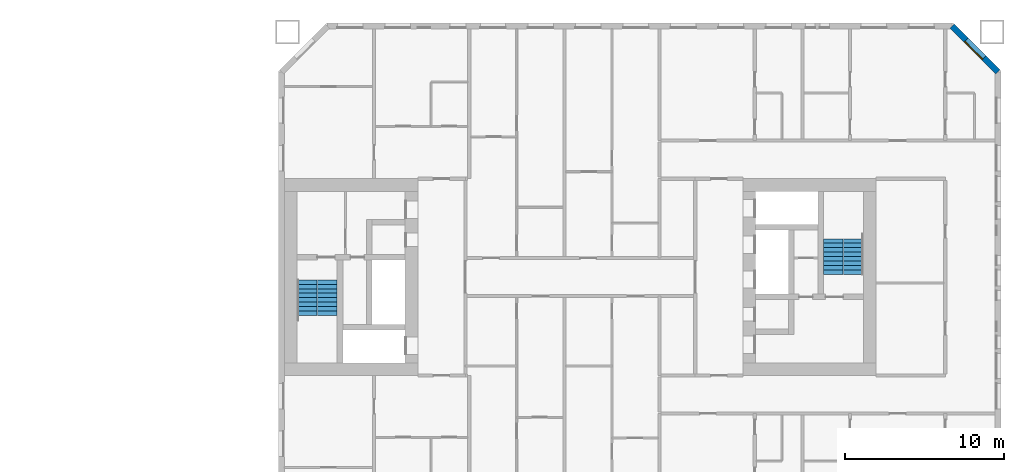
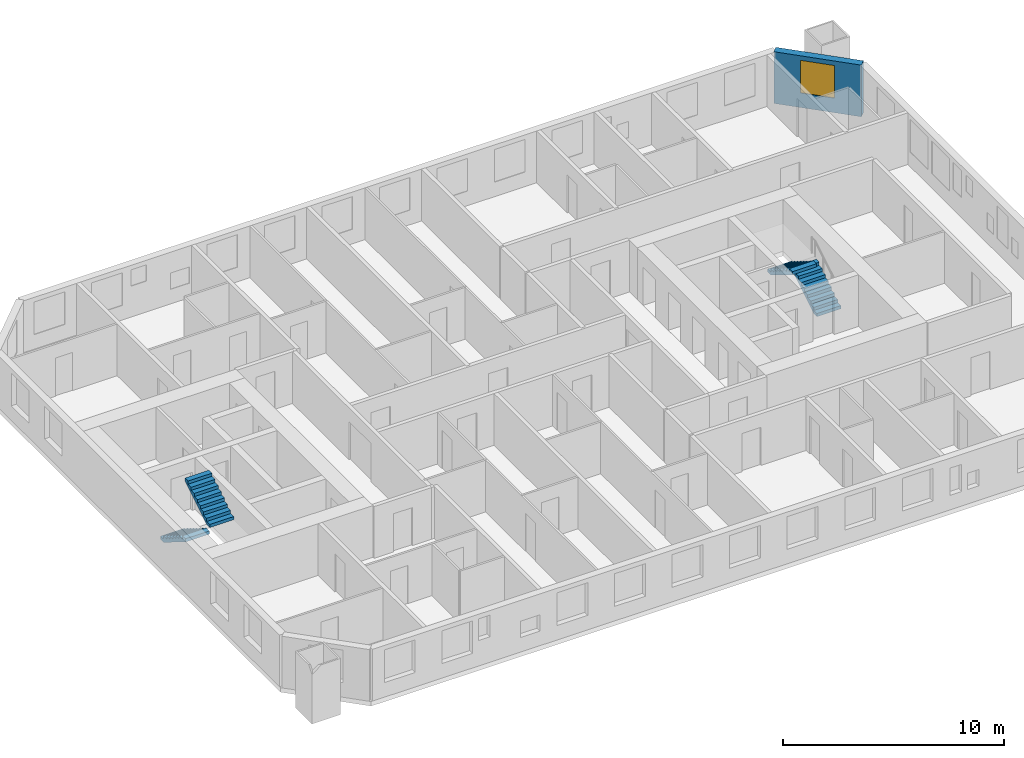
# One storey, part 15 of 17: 4 stair flights, 1 wall, 1 window, 1 opening, 2 elements without a shape of their own.
"""IFC4 building model written with IfcOpenShell, lengths in metres."""

from ifc_helpers import new_model, si_unit, direction, frame, frame_2d, origin, place, context, subcontext, project, spatial, polyline, rectangle, outline, extrude, material, layer, layer_set, type_object, element, fill, aggregate, save


model = new_model("IFC4")

# Units and contexts
model_context = context("Model", 3, precision=1e-05, world=origin(), true_north=direction((0.0, 1.0)))
body_context = subcontext(model_context, "Body", "Model", "MODEL_VIEW")
ifc_project = project(units=[si_unit("LENGTHUNIT", "METRE"), si_unit("AREAUNIT", "SQUARE_METRE"), si_unit("VOLUMEUNIT", "CUBIC_METRE"), si_unit("PLANEANGLEUNIT", "RADIAN"), si_unit("MASSUNIT", "GRAM", prefix="KILO")], contexts=[model_context])

# Site, building, storey
site_placement = place(None, origin())
site = spatial("IfcSite", under=ifc_project, at=site_placement, CompositionType="ELEMENT")
building_placement = place(site_placement, origin())
building = spatial("IfcBuilding", under=site, at=building_placement, Name="Tuart Gate Housing", CompositionType="ELEMENT")
storey_placement = place(building_placement, frame((0.0, 0.0, 50.5)))
storey = spatial("IfcBuildingStorey", under=building, at=storey_placement, Name="L13", CompositionType="ELEMENT", Elevation=50.5)

# Wall, opening, window
ifc_material_1 = material(Name="Brick", Category="masonry")
ifc_layer = layer(ifc_material_1, 0.360107421875)
ifc_layer_set = layer_set([ifc_layer], Name="Brick pier and spandrel wall 360")
wall_type = type_object("IfcWallType", Name="Brick pier and spandrel wall 360", PredefinedType="STANDARD", material=ifc_layer_set)
wall_placement = place(storey_placement, frame((176.320068359375, 82.92529296875, 0.0), z_axis=(0.0, 0.0, 1.0), x_axis=(-0.707106781187, 0.707106781187, 0.0)))
wall = element("IfcWall", 1, at=wall_placement, inside=storey, type_object=wall_type, Name="External wall B-NE L13", PredefinedType="STANDARD", context=body_context, shape_type="SweptSolid", body=[
    extrude(rectangle(XDim=4.09375, YDim=0.360107421875, at=frame_2d((2.046875, 0.0))), origin(), (0.0, 0.0, 1.0), 2.85009765625),
])
opening_placement = place(wall_placement, frame((1.2470703125, 0.0, 0.800048828125)))
opening = element("IfcOpeningElement", 2, at=opening_placement, cuts=wall, Name="Opening W1", PredefinedType="OPENING", context=body_context, shape_type="SweptSolid", body=[
    extrude(rectangle(XDim=1.60009765625, YDim=1.800048828125, at=frame_2d((0.800048828125, 0.89990234375))), frame((0.0, 0.18994140625, 0.0), z_axis=(0.0, -1.0, 0.0), x_axis=(1.0, 0.0, 0.0)), (0.0, 0.0, 1.0), 0.380126953125),
])
ifc_material_2 = material(Name="Aluminium frame with clear glass", Category="aluminium")
window_type = type_object("IfcWindowType", Name="Punched window 1600 x 1800", PartitioningType="SINGLE_PANEL", PredefinedType="WINDOW", material=ifc_material_2)
window_placement = place(opening_placement, origin())
window = element("IfcWindow", 3, at=window_placement, inside=storey, type_object=window_type, Name="Window W1", OverallHeight=1.800048828125, OverallWidth=1.60009765625, PartitioningType="SINGLE_PANEL", PredefinedType="WINDOW", context=body_context, shape_type="SweptSolid", body=[
    extrude(rectangle(XDim=1.60009765625, YDim=1.800048828125, at=frame_2d((0.800048828125, 0.89990234375))), frame((0.0, 0.150146484375, 0.0), z_axis=(0.0, -1.0, 0.0), x_axis=(1.0, 0.0, 0.0)), (0.0, 0.0, 1.0), 0.06005859375),
])
fill(opening, window)

# Stair, stair flights
ifc_material_3 = material(Name="Concrete C40", Category="concrete")
stair_type = type_object("IfcStairType", Name="Core stair 1250", PredefinedType="HALF_TURN_STAIR", material=ifc_material_3)
stair_1_placement = place(storey_placement, origin())
stair_1 = element("IfcStair", 4, at=stair_1_placement, inside=storey, type_object=stair_type, Name="Stair SB1", PredefinedType="HALF_TURN_STAIR")
ifc_material_4 = material(Name="Concrete C40", Category="concrete")
stair_flight_type = type_object("IfcStairFlightType", Name="Stair flight 1250, 9 risers 172 x 280", PredefinedType="STRAIGHT", material=ifc_material_4)
stair_flight_1_placement = place(storey_placement, frame((132.784912109375, 69.824951171875, 0.0), z_axis=(0.0, 0.0, 1.0), x_axis=(0.0, -1.0, 0.0)))
stair_flight_1 = element("IfcStairFlight", 5, at=stair_flight_1_placement, type_object=stair_flight_type, Name="SB1 flight 1", NumberOfRisers=9, NumberOfTreads=8, PredefinedType="STRAIGHT", RiserHeight=0.172222222, TreadLength=0.28, context=body_context, shape_type="SweptSolid", body=[
    extrude(outline(polyline([(0.0, 0.0), (0.0, 0.172119140625), (0.280029296875, 0.172119140625), (0.280029296875, 0.344482421875), (0.56005859375, 0.344482421875), (0.56005859375, 0.5166015625), (0.840087890625, 0.5166015625), (0.840087890625, 0.68896484375), (1.1201171875, 0.68896484375), (1.1201171875, 0.861083984375), (1.39990234375, 0.861083984375), (1.39990234375, 1.033447265625), (1.679931640625, 1.033447265625), (1.679931640625, 1.20556640625), (1.9599609375, 1.20556640625), (1.9599609375, 1.377685546875), (2.239990234375, 1.377685546875), (2.239990234375, 1.550048828125), (2.239990234375, 1.201904296875), (0.2861328125, 0.0), (0.0, 0.0)])), frame((0.0, 0.625, 0.0), z_axis=(0.0, -1.0, 0.0), x_axis=(1.0, 0.0, 0.0)), (0.0, 0.0, 1.0), 1.25),
])
stair_flight_2_placement = place(storey_placement, frame((134.06005859375, 67.5849609375, 1.550048828125), z_axis=(0.0, 0.0, 1.0), x_axis=(0.0, 1.0, 0.0)))
stair_flight_2 = element("IfcStairFlight", 6, at=stair_flight_2_placement, type_object=stair_flight_type, Name="SB1 flight 2", NumberOfRisers=9, NumberOfTreads=8, PredefinedType="STRAIGHT", RiserHeight=0.172222222, TreadLength=0.28, context=body_context, shape_type="SweptSolid", body=[
    extrude(outline(polyline([(0.0, 0.0), (0.0, 0.172119140625), (0.280029296875, 0.172119140625), (0.280029296875, 0.344482421875), (0.56005859375, 0.344482421875), (0.56005859375, 0.5166015625), (0.840087890625, 0.5166015625), (0.840087890625, 0.68896484375), (1.1201171875, 0.68896484375), (1.1201171875, 0.861083984375), (1.39990234375, 0.861083984375), (1.39990234375, 1.033447265625), (1.679931640625, 1.033447265625), (1.679931640625, 1.20556640625), (1.9599609375, 1.20556640625), (1.9599609375, 1.377685546875), (2.239990234375, 1.377685546875), (2.239990234375, 1.550048828125), (2.239990234375, 1.201904296875), (0.2861328125, 0.0), (0.0, 0.0)])), frame((0.0, 0.625, 0.0), z_axis=(0.0, -1.0, 0.0), x_axis=(1.0, 0.0, 0.0)), (0.0, 0.0, 1.0), 1.25),
])
aggregate(stair_1, [stair_flight_1, stair_flight_2])

stair_2_placement = place(storey_placement, origin())
stair_2 = element("IfcStair", 7, at=stair_2_placement, inside=storey, type_object=stair_type, Name="Stair SB2", PredefinedType="HALF_TURN_STAIR")
stair_flight_3_placement = place(storey_placement, frame((167.215087890625, 70.175048828125, 0.0), z_axis=(0.0, 0.0, 1.0), x_axis=(0.0, 1.0, 0.0)))
stair_flight_3 = element("IfcStairFlight", 8, at=stair_flight_3_placement, type_object=stair_flight_type, Name="SB2 flight 1", NumberOfRisers=9, NumberOfTreads=8, PredefinedType="STRAIGHT", RiserHeight=0.172222222, TreadLength=0.28, context=body_context, shape_type="SweptSolid", body=[
    extrude(outline(polyline([(0.0, 0.0), (0.0, 0.172119140625), (0.280029296875, 0.172119140625), (0.280029296875, 0.344482421875), (0.56005859375, 0.344482421875), (0.56005859375, 0.5166015625), (0.840087890625, 0.5166015625), (0.840087890625, 0.68896484375), (1.1201171875, 0.68896484375), (1.1201171875, 0.861083984375), (1.39990234375, 0.861083984375), (1.39990234375, 1.033447265625), (1.679931640625, 1.033447265625), (1.679931640625, 1.20556640625), (1.9599609375, 1.20556640625), (1.9599609375, 1.377685546875), (2.239990234375, 1.377685546875), (2.239990234375, 1.550048828125), (2.239990234375, 1.201904296875), (0.2861328125, 0.0), (0.0, 0.0)])), frame((0.0, 0.625, 0.0), z_axis=(0.0, -1.0, 0.0), x_axis=(1.0, 0.0, 0.0)), (0.0, 0.0, 1.0), 1.25),
])
stair_flight_4_placement = place(storey_placement, frame((165.93994140625, 72.4150390625, 1.550048828125), z_axis=(0.0, 0.0, 1.0), x_axis=(0.0, -1.0, 0.0)))
stair_flight_4 = element("IfcStairFlight", 9, at=stair_flight_4_placement, type_object=stair_flight_type, Name="SB2 flight 2", NumberOfRisers=9, NumberOfTreads=8, PredefinedType="STRAIGHT", RiserHeight=0.172222222, TreadLength=0.28, context=body_context, shape_type="SweptSolid", body=[
    extrude(outline(polyline([(0.0, 0.0), (0.0, 0.172119140625), (0.280029296875, 0.172119140625), (0.280029296875, 0.344482421875), (0.56005859375, 0.344482421875), (0.56005859375, 0.5166015625), (0.840087890625, 0.5166015625), (0.840087890625, 0.68896484375), (1.1201171875, 0.68896484375), (1.1201171875, 0.861083984375), (1.39990234375, 0.861083984375), (1.39990234375, 1.033447265625), (1.679931640625, 1.033447265625), (1.679931640625, 1.20556640625), (1.9599609375, 1.20556640625), (1.9599609375, 1.377685546875), (2.239990234375, 1.377685546875), (2.239990234375, 1.550048828125), (2.239990234375, 1.201904296875), (0.2861328125, 0.0), (0.0, 0.0)])), frame((0.0, 0.625, 0.0), z_axis=(0.0, -1.0, 0.0), x_axis=(1.0, 0.0, 0.0)), (0.0, 0.0, 1.0), 1.25),
])
aggregate(stair_2, [stair_flight_3, stair_flight_4])

save(model, "model.ifc")
